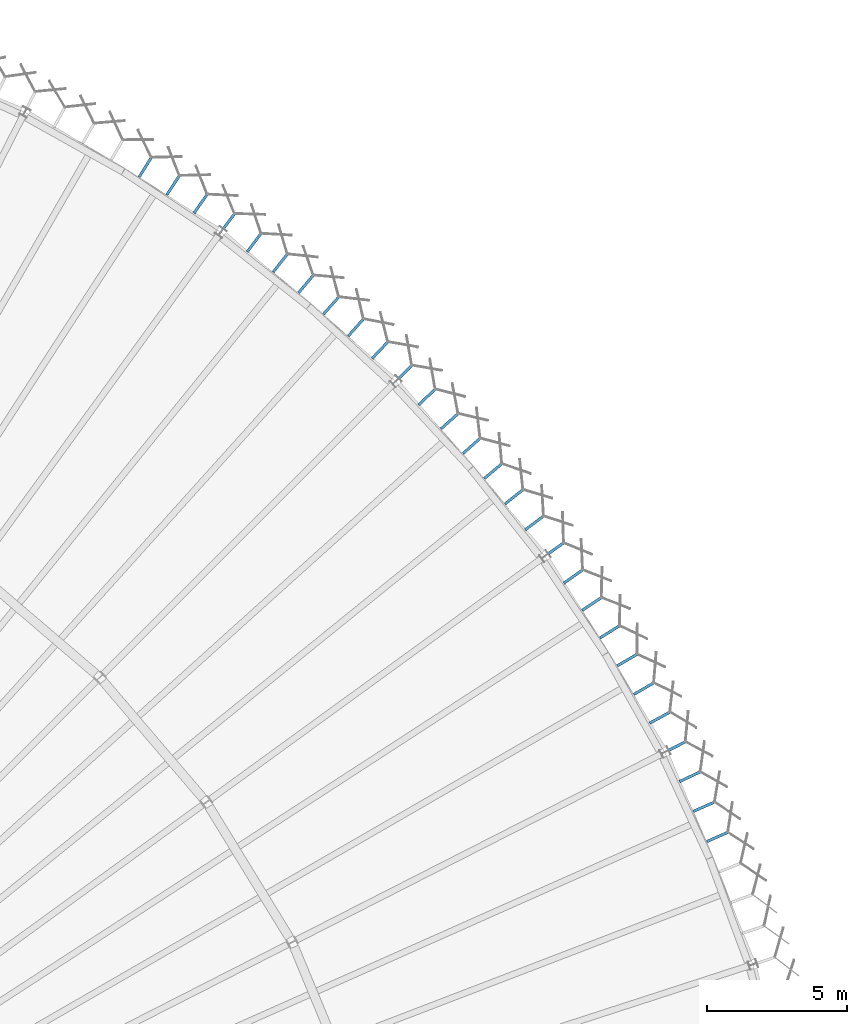
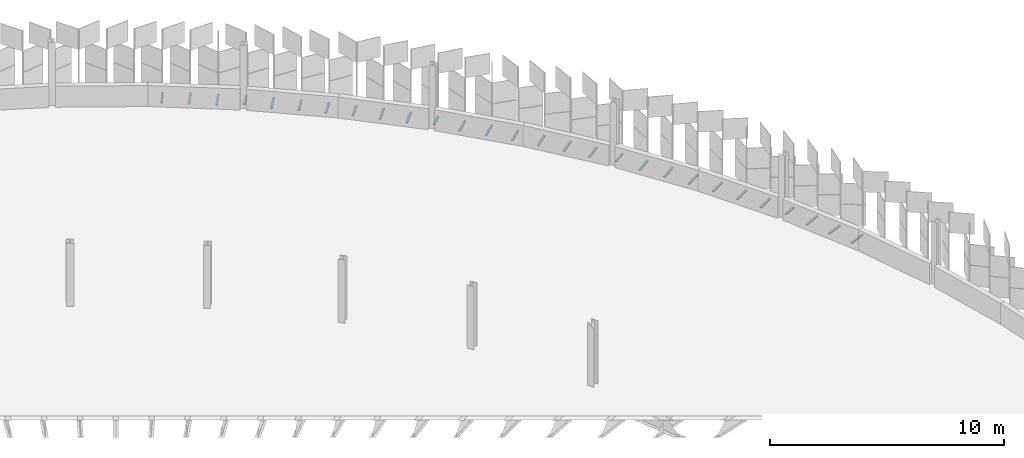
# One storey, part 173 of 198: 28 discrete accessories.
"""IFC4 building model written with IfcOpenShell, lengths in metres."""

import ifcopenshell
import ifcopenshell.guid

model = None  # the IFC model being written
_history = None  # IfcOwnerHistory: only IFC2X3 demands one
_inside = {}  # id of a spatial element -> (the spatial element, [elements in it])
_under = {}  # id of a project, library or spatial element -> (it, [spatial elements below it])
_declared = {}  # id of a project -> (the project, [libraries it declares])
_typed = {}  # id of a type object -> (the type object, [elements of that type])
_made_of = {}  # id of a material, layer set ... -> (it, [elements and type objects made of it])


def new_model(schema):
    """Start an empty IFC model of exactly this schema.

    Asked for "IFC4X3", IfcOpenShell would pick the latest addendum, in which some entities
    have other attributes; the version numbers below select the first issue.
    IFC2X3 requires an IfcOwnerHistory on every rooted entity: one is made here for all.
    """
    global model, _history
    if schema == "IFC4X3":
        model = ifcopenshell.file(schema_version=(4, 3, 0, 0))
    else:
        model = ifcopenshell.file(schema=schema)
    _inside.clear()
    _under.clear()
    _declared.clear()
    _typed.clear()
    _made_of.clear()
    _history = None
    if model.schema == "IFC2X3":
        org = make("IfcOrganization", Name="unknown")
        user = make(
            "IfcPersonAndOrganization",
            ThePerson=make("IfcPerson", FamilyName="unknown"),
            TheOrganization=org,
        )
        app = make(
            "IfcApplication",
            ApplicationDeveloper=org,
            Version="unknown",
            ApplicationFullName="unknown",
            ApplicationIdentifier="unknown",
        )
        _history = make(
            "IfcOwnerHistory",
            OwningUser=user,
            OwningApplication=app,
            ChangeAction="ADDED",
            CreationDate=0,
        )
    return model


def make(cls, **values):
    """One entity of the class cls with the attributes given. An attribute that is None is left unset."""
    return model.create_entity(
        cls, **{name: value for name, value in values.items() if value is not None}
    )


def rooted(cls, **values):
    """An entity with a GlobalId (a new one), such as an element, a storey or a relation."""
    return make(cls, GlobalId=ifcopenshell.guid.new(), OwnerHistory=_history, **values)


def si_unit(unit_type, name, prefix=None):
    """IfcSIUnit, for example si_unit("LENGTHUNIT", "METRE", prefix="MILLI")."""
    return make("IfcSIUnit", UnitType=unit_type, Prefix=prefix, Name=name)


def assignment(units):
    """IfcUnitAssignment: the units of a project."""
    return None if units is None else make("IfcUnitAssignment", Units=units)


def point(xyz):
    """IfcCartesianPoint."""
    return None if xyz is None else make("IfcCartesianPoint", Coordinates=xyz)


def direction(xyz):
    """IfcDirection."""
    return None if xyz is None else make("IfcDirection", DirectionRatios=xyz)


def frame(location, z_axis=None, x_axis=None):
    """IfcAxis2Placement3D, a coordinate frame: its origin and axes. An axis left out is left unset."""
    return make(
        "IfcAxis2Placement3D",
        Location=point(location),
        Axis=direction(z_axis),
        RefDirection=direction(x_axis),
    )


def frame_2d(location, x_axis=None):
    """IfcAxis2Placement2D, a coordinate frame in the plane: its origin and x axis."""
    return make(
        "IfcAxis2Placement2D", Location=point(location), RefDirection=direction(x_axis)
    )


def origin():
    """The frame at (0, 0, 0) with its axes left unset."""
    return frame((0.0, 0.0, 0.0))


def origin_2d():
    """The frame at (0, 0) in the plane with its x axis left unset."""
    return frame_2d((0.0, 0.0))


def place(relative_to, where):
    """IfcLocalPlacement: puts the frame where relative to a parent placement (None: the world)."""
    return make(
        "IfcLocalPlacement", PlacementRelTo=relative_to, RelativePlacement=where
    )


def context(
    kind, dimensions, precision=None, world=None, true_north=None, identifier=None
):
    """IfcGeometricRepresentationContext, for example the 3D "Model" context."""
    return make(
        "IfcGeometricRepresentationContext",
        ContextIdentifier=identifier,
        ContextType=kind,
        CoordinateSpaceDimension=dimensions,
        Precision=precision,
        WorldCoordinateSystem=world,
        TrueNorth=true_north,
    )


def subcontext(parent, identifier, kind, view, scale=None):
    """IfcGeometricRepresentationSubContext, for example "Body" below "Model"."""
    return make(
        "IfcGeometricRepresentationSubContext",
        ContextIdentifier=identifier,
        ContextType=kind,
        ParentContext=parent,
        TargetScale=scale,
        TargetView=view,
    )


def project(units=None, contexts=None):
    """IfcProject with its units and contexts."""
    return rooted(
        "IfcProject",
        Name="project",
        RepresentationContexts=contexts,
        UnitsInContext=assignment(units),
    )


def spatial(cls, under=None, at=None, **own):
    """A site, building, storey or space (cls), placed at a placement, below another one or the project."""
    s = rooted(cls, ObjectPlacement=at, **own)
    if under is not None:
        _under.setdefault(under.id(), (under, []))[1].append(s)
    return s


def profile(cls, at=None, kind="AREA", **sizes):
    """A parametric profile (cls). Its sizes go by their IFC names, for example OverallWidth=200.0."""
    return make(cls, ProfileType=kind, Position=at, **sizes)


def rectangle(**sizes):
    """IfcRectangleProfileDef."""
    return profile("IfcRectangleProfileDef", **sizes)


def extrude(swept, where, along, depth):
    """IfcExtrudedAreaSolid: the profile swept, set in the frame where, extruded along a direction by depth."""
    return make(
        "IfcExtrudedAreaSolid",
        SweptArea=swept,
        Position=where,
        ExtrudedDirection=direction(along),
        Depth=depth,
    )


def shape(context_of_items, identifier, shape_type, items):
    """IfcShapeRepresentation: the items that make up one representation, for example the "Body"."""
    return make(
        "IfcShapeRepresentation",
        ContextOfItems=context_of_items,
        RepresentationIdentifier=identifier,
        RepresentationType=shape_type,
        Items=items,
    )


def material(Name=None, Category=None):
    """IfcMaterial."""
    return make("IfcMaterial", Name=Name, Category=Category)


def made_of(thing, what):
    """Note that an element or type object is made of a material, layer set ...; save() writes the relation."""
    if what is not None:
        _made_of.setdefault(what.id(), (what, []))[1].append(thing)
    return thing


def type_object(cls, material=None, **own):
    """A type object (cls), such as IfcWallType, which elements share."""
    return made_of(rooted(cls, **own), material)


def element(
    cls,
    number,
    at=None,
    inside=None,
    cuts=None,
    type_object=None,
    material=None,
    context=None,
    identifier="Body",
    shape_type=None,
    held_by="IfcProductDefinitionShape",
    body=None,
    shapes=None,
    **own,
):
    """One element of the class cls, such as IfcWall. Its Tag is "e" and its number.

    at: its placement. inside: the storey or other place that contains it. cuts: it is an
    opening in that element (IfcRelVoidsElement). A single representation is given by context,
    identifier, shape_type and body (its items); several are given by shapes. held_by: the class
    of the entity that holds the representations. save() writes the other relations.
    """
    e = rooted(cls, Tag="e%d" % number, ObjectPlacement=at, **own)
    if body is not None:
        shapes = [shape(context, identifier, shape_type, body)]
    if shapes is not None:
        e.Representation = make(held_by, Representations=shapes)
    if inside is not None:
        _inside.setdefault(inside.id(), (inside, []))[1].append(e)
    if cuts is not None:
        rooted(
            "IfcRelVoidsElement", RelatingBuildingElement=cuts, RelatedOpeningElement=e
        )
    if type_object is not None:
        _typed.setdefault(type_object.id(), (type_object, []))[1].append(e)
    return made_of(e, material)


def aggregate(whole, parts):
    """IfcRelAggregates: a whole, such as a stair, and the parts it consists of."""
    return rooted("IfcRelAggregates", RelatingObject=whole, RelatedObjects=parts)


def save(model, path):
    """Write the relations noted so far, then the file.

    IfcRelAggregates (storeys below a building ...), IfcRelContainedInSpatialStructure (elements
    in a storey), IfcRelDefinesByType, IfcRelAssociatesMaterial and IfcRelDeclares: one each for
    every whole, place, type object, material and project.
    """
    for whole, parts in _under.values():
        aggregate(whole, parts)
    for where, things in _inside.values():
        rooted(
            "IfcRelContainedInSpatialStructure",
            RelatedElements=things,
            RelatingStructure=where,
        )
    for kind, things in _typed.values():
        rooted("IfcRelDefinesByType", RelatedObjects=things, RelatingType=kind)
    for what, things in _made_of.values():
        rooted("IfcRelAssociatesMaterial", RelatedObjects=things, RelatingMaterial=what)
    for by, libraries in _declared.values():
        rooted("IfcRelDeclares", RelatingContext=by, RelatedDefinitions=libraries)
    model.write(path)


model = new_model("IFC4")

# Units and contexts
model_context = context("Model", 3, precision=1e-05, world=origin(), true_north=direction((0.0, 1.0)))
body_context = subcontext(model_context, "Body", "Model", "MODEL_VIEW")
ifc_project = project(units=[si_unit("LENGTHUNIT", "METRE"), si_unit("AREAUNIT", "SQUARE_METRE"), si_unit("VOLUMEUNIT", "CUBIC_METRE"), si_unit("PLANEANGLEUNIT", "RADIAN"), si_unit("MASSUNIT", "GRAM", prefix="KILO")], contexts=[model_context])

# Site, building, storey
site_placement = place(None, origin())
site = spatial("IfcSite", under=ifc_project, at=site_placement, CompositionType="ELEMENT")
building_placement = place(site_placement, origin())
building = spatial("IfcBuilding", under=site, at=building_placement, Name="Parallax Yard Mobility Hub", CompositionType="ELEMENT")
storey_placement = place(building_placement, frame((0.0, 0.0, 6.60009765625)))
storey = spatial("IfcBuildingStorey", under=building, at=storey_placement, Name="L02", CompositionType="ELEMENT", Elevation=6.60009765625)

# Discrete accessories
ifc_material = material(Name="Steel ASTM A36, hot-dip galvanised", Category="steel")
discrete_accessory_type = type_object("IfcDiscreteAccessoryType", Name="Hinge bracket plate 100x50", PredefinedType="BRACKET", material=ifc_material)
for number, where, z_axis, x_axis, name in (
    (1, (221.143310546875, 110.79248046875, -0.02490234375), (0.0, 0.0, 1.0), (0.915470971385, 0.402384021242, 0.0), "Hinge bracket plate bay 43.5 level L02"),
    (2, (220.66650390625, 111.877197265625, -0.02490234375), (0.0, 0.0, 1.0), (0.915470971385, 0.402384021242, 0.0), "Hinge bracket plate bay 43.6 level L02"),
    (3, (220.16064453125, 112.95166015625, -0.02490234375), (0.0, 0.0, 1.0), (0.903607612974, 0.428361158107, 0.0), "Hinge bracket plate bay 43.7 level L02"),
):
    element("IfcDiscreteAccessory", number, at=place(storey_placement, frame(where, z_axis=z_axis, x_axis=x_axis)), inside=storey, type_object=discrete_accessory_type, Name=name, PredefinedType="BRACKET", context=body_context, shape_type="SweptSolid", body=[
        extrude(rectangle(XDim=0.80810546875, YDim=0.10009765625, at=origin_2d()), origin(), (0.0, 0.0, 1.0), 0.050048828125),
    ])
discrete_accessory_1_placement = place(storey_placement, frame((219.700927734375, 114.05029296875, -0.02490234375), z_axis=(0.0, 0.0, 1.0), x_axis=(0.891006524188, 0.45399049974, 0.0)))
element("IfcDiscreteAccessory", 4, at=discrete_accessory_1_placement, inside=storey, type_object=discrete_accessory_type, Name="Hinge bracket plate bay 44.1 level L02", PredefinedType="BRACKET", context=body_context, shape_type="SweptSolid", body=[
    extrude(rectangle(XDim=0.654541015625, YDim=0.10009765625, at=origin_2d()), origin(), (0.0, 0.0, 1.0), 0.050048828125),
])
for number, where, z_axis, x_axis, name in (
    (5, (219.08251953125, 115.06787109375, -0.02490234375), (0.0, 0.0, 1.0), (0.877678685404, 0.479249543752, 0.0), "Hinge bracket plate bay 44.2 level L02"),
    (6, (218.510498046875, 116.108642578125, -0.02490234375), (0.0, 0.0, 1.0), (0.863635847332, 0.504116180263, 0.0), "Hinge bracket plate bay 44.3 level L02"),
    (7, (217.913330078125, 117.1318359375, -0.02490234375), (0.0, 0.0, 1.0), (0.863635847332, 0.504116180263, 0.0), "Hinge bracket plate bay 44.4 level L02"),
    (8, (217.290771484375, 118.143310546875, -0.02490234375), (0.0, 0.0, 1.0), (0.848887747723, 0.528573165953, 0.0), "Hinge bracket plate bay 44.5 level L02"),
    (9, (216.6474609375, 119.1416015625, -0.02490234375), (0.0, 0.0, 1.0), (0.833447252321, 0.552599020627, 0.0), "Hinge bracket plate bay 44.6 level L02"),
    (10, (215.9833984375, 120.126220703125, -0.02490234375), (0.0, 0.0, 1.0), (0.817327960788, 0.576172721078, 0.0), "Hinge bracket plate bay 44.7 level L02"),
):
    element("IfcDiscreteAccessory", number, at=place(storey_placement, frame(where, z_axis=z_axis, x_axis=x_axis)), inside=storey, type_object=discrete_accessory_type, Name=name, PredefinedType="BRACKET", context=body_context, shape_type="SweptSolid", body=[
        extrude(rectangle(XDim=0.80810546875, YDim=0.10009765625, at=origin_2d()), origin(), (0.0, 0.0, 1.0), 0.050048828125),
    ])
discrete_accessory_2_placement = place(storey_placement, frame((215.364501953125, 121.139404296875, -0.02490234375), z_axis=(0.0, 0.0, 1.0), x_axis=(0.817327960788, 0.576172721078, 0.0)))
element("IfcDiscreteAccessory", 11, at=discrete_accessory_2_placement, inside=storey, type_object=discrete_accessory_type, Name="Hinge bracket plate bay 45.1 level L02", PredefinedType="BRACKET", context=body_context, shape_type="SweptSolid", body=[
    extrude(rectangle(XDim=0.65234375, YDim=0.10009765625, at=origin_2d()), origin(), (0.0, 0.0, 1.0), 0.050048828125),
])
for number, where, z_axis, x_axis, name in (
    (12, (214.589111328125, 122.04541015625, -0.02490234375), (0.0, 0.0, 1.0), (0.800541050754, 0.599277920549, 0.0), "Hinge bracket plate bay 45.2 level L02"),
    (13, (213.857666015625, 122.981201171875, -0.02490234375), (0.0, 0.0, 1.0), (0.783102264348, 0.62189295186, 0.0), "Hinge bracket plate bay 45.3 level L02"),
    (14, (213.107177734375, 123.901611328125, -0.02490234375), (0.0, 0.0, 1.0), (0.765023694181, 0.644002133025, 0.0), "Hinge bracket plate bay 45.4 level L02"),
    (15, (212.33740234375, 124.806396484375, -0.02490234375), (0.0, 0.0, 1.0), (0.746321131986, 0.66558603347, 0.0), "Hinge bracket plate bay 45.5 level L02"),
    (16, (211.548828125, 125.690673828125, -0.02490234375), (0.0, 0.0, 1.0), (0.746321131986, 0.66558603347, 0.0), "Hinge bracket plate bay 45.6 level L02"),
    (17, (210.735595703125, 126.556396484375, -0.02490234375), (0.0, 0.0, 1.0), (0.727011030908, 0.686625779401, 0.0), "Hinge bracket plate bay 45.7 level L02"),
):
    element("IfcDiscreteAccessory", number, at=place(storey_placement, frame(where, z_axis=z_axis, x_axis=x_axis)), inside=storey, type_object=discrete_accessory_type, Name=name, PredefinedType="BRACKET", context=body_context, shape_type="SweptSolid", body=[
        extrude(rectangle(XDim=0.80810546875, YDim=0.10009765625, at=origin_2d()), origin(), (0.0, 0.0, 1.0), 0.050048828125),
    ])
discrete_accessory_3_placement = place(storey_placement, frame((209.958740234375, 127.458984375, -0.02490234375), z_axis=(0.0, 0.0, 1.0), x_axis=(0.707106781187, 0.707106781187, 0.0)))
element("IfcDiscreteAccessory", 18, at=discrete_accessory_3_placement, inside=storey, type_object=discrete_accessory_type, Name="Hinge bracket plate bay 46.1 level L02", PredefinedType="BRACKET", context=body_context, shape_type="SweptSolid", body=[
    extrude(rectangle(XDim=0.654541015625, YDim=0.10009765625, at=origin_2d()), origin(), (0.0, 0.0, 1.0), 0.050048828125),
])
for number, where, z_axis, x_axis, name in (
    (19, (209.055908203125, 128.23583984375, -0.02490234375), (0.0, 0.0, 1.0), (0.686625779401, 0.727011030908, 0.0), "Hinge bracket plate bay 46.2 level L02"),
    (20, (208.1904296875, 129.049072265625, -0.02490234375), (0.0, 0.0, 1.0), (0.66558603347, 0.746321131986, 0.0), "Hinge bracket plate bay 46.3 level L02"),
    (21, (207.30615234375, 129.83740234375, -0.02490234375), (0.0, 0.0, 1.0), (0.66558603347, 0.746321131986, 0.0), "Hinge bracket plate bay 46.4 level L02"),
    (22, (206.401611328125, 130.607177734375, -0.02490234375), (0.0, 0.0, 1.0), (0.644002133025, 0.765023694181, 0.0), "Hinge bracket plate bay 46.5 level L02"),
    (23, (205.4814453125, 131.357666015625, -0.02490234375), (0.0, 0.0, 1.0), (0.62189295186, 0.783102264348, 0.0), "Hinge bracket plate bay 46.6 level L02"),
    (24, (204.545654296875, 132.0888671875, -0.02490234375), (0.0, 0.0, 1.0), (0.599277920549, 0.800541050754, 0.0), "Hinge bracket plate bay 46.7 level L02"),
):
    element("IfcDiscreteAccessory", number, at=place(storey_placement, frame(where, z_axis=z_axis, x_axis=x_axis)), inside=storey, type_object=discrete_accessory_type, Name=name, PredefinedType="BRACKET", context=body_context, shape_type="SweptSolid", body=[
        extrude(rectangle(XDim=0.80810546875, YDim=0.10009765625, at=origin_2d()), origin(), (0.0, 0.0, 1.0), 0.050048828125),
    ])
discrete_accessory_4_placement = place(storey_placement, frame((203.643798828125, 132.861083984375, -0.02490234375), z_axis=(0.0, 0.0, 1.0), x_axis=(0.599277920549, 0.800541050754, 0.0)))
element("IfcDiscreteAccessory", 25, at=discrete_accessory_4_placement, inside=storey, type_object=discrete_accessory_type, Name="Hinge bracket plate bay 47.1 level L02", PredefinedType="BRACKET", context=body_context, shape_type="SweptSolid", body=[
    extrude(rectangle(XDim=0.65234375, YDim=0.10009765625, at=origin_2d()), origin(), (0.0, 0.0, 1.0), 0.050048828125),
])
for number, where, z_axis, x_axis, name in (
    (26, (202.62646484375, 133.4833984375, -0.02490234375), (0.0, 0.0, 1.0), (0.576172721078, 0.817327960788, 0.0), "Hinge bracket plate bay 47.2 level L02"),
    (27, (201.6416015625, 134.1474609375, -0.02490234375), (0.0, 0.0, 1.0), (0.552599020627, 0.833447252321, 0.0), "Hinge bracket plate bay 47.3 level L02"),
    (28, (200.643310546875, 134.790771484375, -0.02490234375), (0.0, 0.0, 1.0), (0.528573165953, 0.848887747723, 0.0), "Hinge bracket plate bay 47.4 level L02"),
):
    element("IfcDiscreteAccessory", number, at=place(storey_placement, frame(where, z_axis=z_axis, x_axis=x_axis)), inside=storey, type_object=discrete_accessory_type, Name=name, PredefinedType="BRACKET", context=body_context, shape_type="SweptSolid", body=[
        extrude(rectangle(XDim=0.80810546875, YDim=0.10009765625, at=origin_2d()), origin(), (0.0, 0.0, 1.0), 0.050048828125),
    ])

save(model, "model.ifc")
